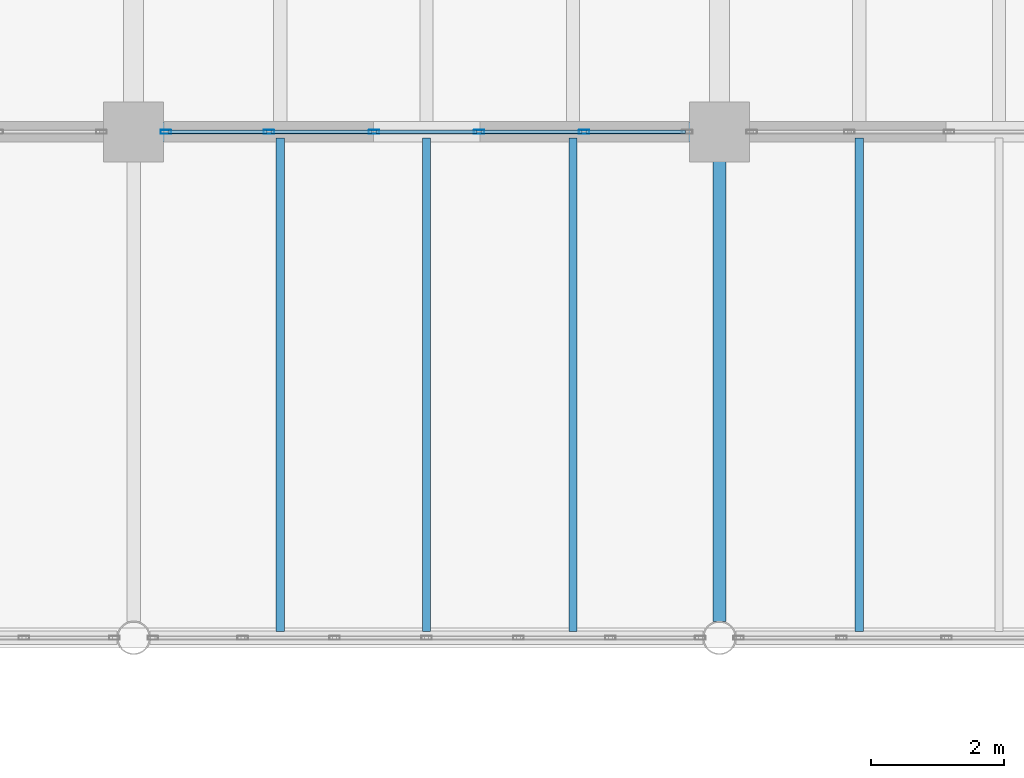
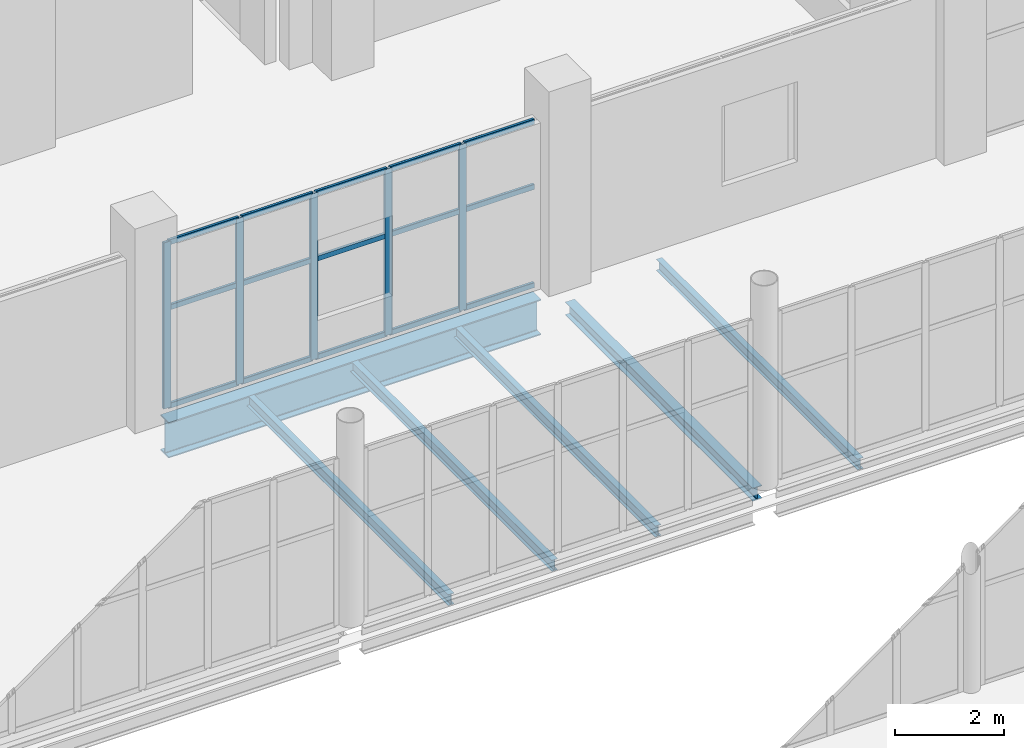
# One storey, part 87 of 172: 20 members, 6 beams, 1 element without a shape of its own.
"""IFC4 building model written with IfcOpenShell, lengths in metres."""

from ifc_helpers import new_model, si_unit, direction, frame, origin, origin_2d, place, context, subcontext, project, spatial, hollow_rectangle, i_section, extrude, material, material_profile, profile_set, type_object, element, aggregate, save


model = new_model("IFC4")

# Units and contexts
model_context = context("Model", 3, precision=1e-05, world=origin(), true_north=direction((0.0, 1.0)))
body_context = subcontext(model_context, "Body", "Model", "MODEL_VIEW")
ifc_project = project(units=[si_unit("LENGTHUNIT", "METRE"), si_unit("AREAUNIT", "SQUARE_METRE"), si_unit("VOLUMEUNIT", "CUBIC_METRE"), si_unit("PLANEANGLEUNIT", "RADIAN"), si_unit("MASSUNIT", "GRAM", prefix="KILO")], contexts=[model_context])

# Site, building, storey
site_placement = place(None, origin())
site = spatial("IfcSite", under=ifc_project, at=site_placement, CompositionType="ELEMENT")
building_placement = place(site_placement, origin())
building = spatial("IfcBuilding", under=site, at=building_placement, Name="Shengluoqiao Park Theatre", CompositionType="ELEMENT")
storey_placement = place(building_placement, frame((0.0, 0.0, 5.39990234375)))
storey = spatial("IfcBuildingStorey", under=building, at=storey_placement, Name="L01", CompositionType="ELEMENT", Elevation=5.39990234375)

# Curtain wall, members
ifc_material_1 = material(Name="Aluminium 6063-T6", Category="aluminium")
curtain_wall_type = type_object("IfcCurtainWallType", Name="ENV-CW-BRIDGE", PredefinedType="NOTDEFINED", material=ifc_material_1)
curtain_wall_placement = place(storey_placement, origin())
curtain_wall = element("IfcCurtainWall", 1, at=curtain_wall_placement, inside=storey, type_object=curtain_wall_type, Name="L01 Curtain Wall CWX-L01-0100", PredefinedType="NOTDEFINED")
ifc_material_profile_1 = material_profile(ifc_material_1, hollow_rectangle(XDim=0.06005859375, YDim=0.159912109375, WallThickness=0.00390625, InnerFilletRadius=0.00390625, OuterFilletRadius=0.008056640625, at=origin_2d()), Name="ALU MULLION 160x60x4")
ifc_profile_set_1 = profile_set([ifc_material_profile_1], Name="Aluminium 6063-T6")
member_type_1 = type_object("IfcMemberType", Name="ENV-MUL-160", PredefinedType="MULLION", material=ifc_profile_set_1)
member_1_placement = place(storey_placement, frame((95.68408203125, 76.0, 0.0), z_axis=(0.0, 0.0, 1.0), x_axis=(0.0, 1.0, 0.0)))
member_1 = element("IfcMember", 2, at=member_1_placement, type_object=member_type_1, Name="CW-03 mullion 1", PredefinedType="MULLION", context=body_context, shape_type="SweptSolid", body=[
    extrude(hollow_rectangle(XDim=0.06005859375, YDim=0.159912109375, WallThickness=0.00390625, InnerFilletRadius=0.00390625, OuterFilletRadius=0.008056640625, at=origin_2d()), origin(), (0.0, 0.0, 1.0), 3.732177734375),
])
member_2_placement = place(storey_placement, frame((97.232421875, 76.0, 0.0), z_axis=(0.0, 0.0, 1.0), x_axis=(0.0, 1.0, 0.0)))
member_2 = element("IfcMember", 3, at=member_2_placement, type_object=member_type_1, Name="CW-03 mullion 2", PredefinedType="MULLION", context=body_context, shape_type="SweptSolid", body=[
    extrude(hollow_rectangle(XDim=0.06005859375, YDim=0.159912109375, WallThickness=0.00390625, InnerFilletRadius=0.00390625, OuterFilletRadius=0.008056640625, at=origin_2d()), origin(), (0.0, 0.0, 1.0), 3.732177734375),
])
member_3_placement = place(storey_placement, frame((98.810791015625, 76.0, 0.0), z_axis=(0.0, 0.0, 1.0), x_axis=(0.0, 1.0, 0.0)))
member_3 = element("IfcMember", 4, at=member_3_placement, type_object=member_type_1, Name="CW-03 mullion 3", PredefinedType="MULLION", context=body_context, shape_type="SweptSolid", body=[
    extrude(hollow_rectangle(XDim=0.06005859375, YDim=0.159912109375, WallThickness=0.00390625, InnerFilletRadius=0.00390625, OuterFilletRadius=0.008056640625, at=origin_2d()), origin(), (0.0, 0.0, 1.0), 3.732177734375),
])
member_4_placement = place(storey_placement, frame((100.38916015625, 76.0, 0.0), z_axis=(0.0, 0.0, 1.0), x_axis=(0.0, 1.0, 0.0)))
member_4 = element("IfcMember", 5, at=member_4_placement, type_object=member_type_1, Name="CW-03 mullion 4", PredefinedType="MULLION", context=body_context, shape_type="SweptSolid", body=[
    extrude(hollow_rectangle(XDim=0.06005859375, YDim=0.159912109375, WallThickness=0.00390625, InnerFilletRadius=0.00390625, OuterFilletRadius=0.008056640625, at=origin_2d()), origin(), (0.0, 0.0, 1.0), 3.732177734375),
])
member_5_placement = place(storey_placement, frame((101.967529296875, 76.0, 0.0), z_axis=(0.0, 0.0, 1.0), x_axis=(0.0, 1.0, 0.0)))
member_5 = element("IfcMember", 6, at=member_5_placement, type_object=member_type_1, Name="CW-03 mullion 5", PredefinedType="MULLION", context=body_context, shape_type="SweptSolid", body=[
    extrude(hollow_rectangle(XDim=0.06005859375, YDim=0.159912109375, WallThickness=0.00390625, InnerFilletRadius=0.00390625, OuterFilletRadius=0.008056640625, at=origin_2d()), origin(), (0.0, 0.0, 1.0), 3.732177734375),
])
ifc_material_profile_2 = material_profile(ifc_material_1, hollow_rectangle(XDim=0.06005859375, YDim=0.1201171875, WallThickness=0.00390625, InnerFilletRadius=0.00390625, OuterFilletRadius=0.008056640625, at=origin_2d()), Name="ALU TRANSOM 120x60x4")
ifc_profile_set_2 = profile_set([ifc_material_profile_2], Name="Aluminium 6063-T6")
member_type_2 = type_object("IfcMemberType", Name="ENV-TRN-120", PredefinedType="USERDEFINED", material=ifc_profile_set_2)
member_6_placement = place(storey_placement, frame((95.714111328125, 76.0, 0.030029296875), z_axis=(1.0, 0.0, 0.0), x_axis=(0.0, 1.0, 0.0)))
member_6 = element("IfcMember", 7, at=member_6_placement, type_object=member_type_2, Name="CW-03 transom 1.1", ObjectType="TRANSOM", PredefinedType="USERDEFINED", context=body_context, shape_type="SweptSolid", body=[
    extrude(hollow_rectangle(XDim=0.06005859375, YDim=0.1201171875, WallThickness=0.00390625, InnerFilletRadius=0.00390625, OuterFilletRadius=0.008056640625, at=origin_2d()), origin(), (0.0, 0.0, 1.0), 1.48828125),
])
member_7_placement = place(storey_placement, frame((95.714111328125, 76.0, 2.239013671875), z_axis=(1.0, 0.0, 0.0), x_axis=(0.0, 1.0, 0.0)))
member_7 = element("IfcMember", 8, at=member_7_placement, type_object=member_type_2, Name="CW-03 transom 1.2", ObjectType="TRANSOM", PredefinedType="USERDEFINED", context=body_context, shape_type="SweptSolid", body=[
    extrude(hollow_rectangle(XDim=0.06005859375, YDim=0.1201171875, WallThickness=0.00390625, InnerFilletRadius=0.00390625, OuterFilletRadius=0.008056640625, at=origin_2d()), origin(), (0.0, 0.0, 1.0), 1.48828125),
])
member_8_placement = place(storey_placement, frame((95.714111328125, 76.0, 3.7021484375), z_axis=(1.0, 0.0, 0.0), x_axis=(0.0, 1.0, 0.0)))
member_8 = element("IfcMember", 9, at=member_8_placement, type_object=member_type_2, Name="CW-03 transom 1.3", ObjectType="TRANSOM", PredefinedType="USERDEFINED", context=body_context, shape_type="SweptSolid", body=[
    extrude(hollow_rectangle(XDim=0.06005859375, YDim=0.1201171875, WallThickness=0.00390625, InnerFilletRadius=0.00390625, OuterFilletRadius=0.008056640625, at=origin_2d()), origin(), (0.0, 0.0, 1.0), 1.48828125),
])
member_9_placement = place(storey_placement, frame((97.262451171875, 76.0, 0.030029296875), z_axis=(1.0, 0.0, 0.0), x_axis=(0.0, 1.0, 0.0)))
member_9 = element("IfcMember", 10, at=member_9_placement, type_object=member_type_2, Name="CW-03 transom 2.1", ObjectType="TRANSOM", PredefinedType="USERDEFINED", context=body_context, shape_type="SweptSolid", body=[
    extrude(hollow_rectangle(XDim=0.06005859375, YDim=0.1201171875, WallThickness=0.00390625, InnerFilletRadius=0.00390625, OuterFilletRadius=0.008056640625, at=origin_2d()), origin(), (0.0, 0.0, 1.0), 1.518310546875),
])
member_10_placement = place(storey_placement, frame((97.262451171875, 76.0, 2.239013671875), z_axis=(1.0, 0.0, 0.0), x_axis=(0.0, 1.0, 0.0)))
member_10 = element("IfcMember", 11, at=member_10_placement, type_object=member_type_2, Name="CW-03 transom 2.2", ObjectType="TRANSOM", PredefinedType="USERDEFINED", context=body_context, shape_type="SweptSolid", body=[
    extrude(hollow_rectangle(XDim=0.06005859375, YDim=0.1201171875, WallThickness=0.00390625, InnerFilletRadius=0.00390625, OuterFilletRadius=0.008056640625, at=origin_2d()), origin(), (0.0, 0.0, 1.0), 1.518310546875),
])
member_11_placement = place(storey_placement, frame((97.262451171875, 76.0, 3.7021484375), z_axis=(1.0, 0.0, 0.0), x_axis=(0.0, 1.0, 0.0)))
member_11 = element("IfcMember", 12, at=member_11_placement, type_object=member_type_2, Name="CW-03 transom 2.3", ObjectType="TRANSOM", PredefinedType="USERDEFINED", context=body_context, shape_type="SweptSolid", body=[
    extrude(hollow_rectangle(XDim=0.06005859375, YDim=0.1201171875, WallThickness=0.00390625, InnerFilletRadius=0.00390625, OuterFilletRadius=0.008056640625, at=origin_2d()), origin(), (0.0, 0.0, 1.0), 1.518310546875),
])
member_12_placement = place(storey_placement, frame((98.8408203125, 76.0, 0.030029296875), z_axis=(1.0, 0.0, 0.0), x_axis=(0.0, 1.0, 0.0)))
member_12 = element("IfcMember", 13, at=member_12_placement, type_object=member_type_2, Name="CW-03 transom 3.1", ObjectType="TRANSOM", PredefinedType="USERDEFINED", context=body_context, shape_type="SweptSolid", body=[
    extrude(hollow_rectangle(XDim=0.06005859375, YDim=0.1201171875, WallThickness=0.00390625, InnerFilletRadius=0.00390625, OuterFilletRadius=0.008056640625, at=origin_2d()), origin(), (0.0, 0.0, 1.0), 1.518310546875),
])
member_13_placement = place(storey_placement, frame((98.8408203125, 76.0, 2.239013671875), z_axis=(1.0, 0.0, 0.0), x_axis=(0.0, 1.0, 0.0)))
member_13 = element("IfcMember", 14, at=member_13_placement, type_object=member_type_2, Name="CW-03 transom 3.2", ObjectType="TRANSOM", PredefinedType="USERDEFINED", context=body_context, shape_type="SweptSolid", body=[
    extrude(hollow_rectangle(XDim=0.06005859375, YDim=0.1201171875, WallThickness=0.00390625, InnerFilletRadius=0.00390625, OuterFilletRadius=0.008056640625, at=origin_2d()), origin(), (0.0, 0.0, 1.0), 1.518310546875),
])
member_14_placement = place(storey_placement, frame((98.8408203125, 76.0, 3.7021484375), z_axis=(1.0, 0.0, 0.0), x_axis=(0.0, 1.0, 0.0)))
member_14 = element("IfcMember", 15, at=member_14_placement, type_object=member_type_2, Name="CW-03 transom 3.3", ObjectType="TRANSOM", PredefinedType="USERDEFINED", context=body_context, shape_type="SweptSolid", body=[
    extrude(hollow_rectangle(XDim=0.06005859375, YDim=0.1201171875, WallThickness=0.00390625, InnerFilletRadius=0.00390625, OuterFilletRadius=0.008056640625, at=origin_2d()), origin(), (0.0, 0.0, 1.0), 1.518310546875),
])
member_15_placement = place(storey_placement, frame((100.419189453125, 76.0, 0.030029296875), z_axis=(1.0, 0.0, 0.0), x_axis=(0.0, 1.0, 0.0)))
member_15 = element("IfcMember", 16, at=member_15_placement, type_object=member_type_2, Name="CW-03 transom 4.1", ObjectType="TRANSOM", PredefinedType="USERDEFINED", context=body_context, shape_type="SweptSolid", body=[
    extrude(hollow_rectangle(XDim=0.06005859375, YDim=0.1201171875, WallThickness=0.00390625, InnerFilletRadius=0.00390625, OuterFilletRadius=0.008056640625, at=origin_2d()), origin(), (0.0, 0.0, 1.0), 1.518310546875),
])
member_16_placement = place(storey_placement, frame((100.419189453125, 76.0, 2.239013671875), z_axis=(1.0, 0.0, 0.0), x_axis=(0.0, 1.0, 0.0)))
member_16 = element("IfcMember", 17, at=member_16_placement, type_object=member_type_2, Name="CW-03 transom 4.2", ObjectType="TRANSOM", PredefinedType="USERDEFINED", context=body_context, shape_type="SweptSolid", body=[
    extrude(hollow_rectangle(XDim=0.06005859375, YDim=0.1201171875, WallThickness=0.00390625, InnerFilletRadius=0.00390625, OuterFilletRadius=0.008056640625, at=origin_2d()), origin(), (0.0, 0.0, 1.0), 1.518310546875),
])
member_17_placement = place(storey_placement, frame((100.419189453125, 76.0, 3.7021484375), z_axis=(1.0, 0.0, 0.0), x_axis=(0.0, 1.0, 0.0)))
member_17 = element("IfcMember", 18, at=member_17_placement, type_object=member_type_2, Name="CW-03 transom 4.3", ObjectType="TRANSOM", PredefinedType="USERDEFINED", context=body_context, shape_type="SweptSolid", body=[
    extrude(hollow_rectangle(XDim=0.06005859375, YDim=0.1201171875, WallThickness=0.00390625, InnerFilletRadius=0.00390625, OuterFilletRadius=0.008056640625, at=origin_2d()), origin(), (0.0, 0.0, 1.0), 1.518310546875),
])
member_18_placement = place(storey_placement, frame((101.99755859375, 76.0, 0.030029296875), z_axis=(1.0, 0.0, 0.0), x_axis=(0.0, 1.0, 0.0)))
member_18 = element("IfcMember", 19, at=member_18_placement, type_object=member_type_2, Name="CW-03 transom 5.1", ObjectType="TRANSOM", PredefinedType="USERDEFINED", context=body_context, shape_type="SweptSolid", body=[
    extrude(hollow_rectangle(XDim=0.06005859375, YDim=0.1201171875, WallThickness=0.00390625, InnerFilletRadius=0.00390625, OuterFilletRadius=0.008056640625, at=origin_2d()), origin(), (0.0, 0.0, 1.0), 1.488525390625),
])
member_19_placement = place(storey_placement, frame((101.99755859375, 76.0, 2.239013671875), z_axis=(1.0, 0.0, 0.0), x_axis=(0.0, 1.0, 0.0)))
member_19 = element("IfcMember", 20, at=member_19_placement, type_object=member_type_2, Name="CW-03 transom 5.2", ObjectType="TRANSOM", PredefinedType="USERDEFINED", context=body_context, shape_type="SweptSolid", body=[
    extrude(hollow_rectangle(XDim=0.06005859375, YDim=0.1201171875, WallThickness=0.00390625, InnerFilletRadius=0.00390625, OuterFilletRadius=0.008056640625, at=origin_2d()), origin(), (0.0, 0.0, 1.0), 1.488525390625),
])
member_20_placement = place(storey_placement, frame((101.99755859375, 76.0, 3.7021484375), z_axis=(1.0, 0.0, 0.0), x_axis=(0.0, 1.0, 0.0)))
member_20 = element("IfcMember", 21, at=member_20_placement, type_object=member_type_2, Name="CW-03 transom 5.3", ObjectType="TRANSOM", PredefinedType="USERDEFINED", context=body_context, shape_type="SweptSolid", body=[
    extrude(hollow_rectangle(XDim=0.06005859375, YDim=0.1201171875, WallThickness=0.00390625, InnerFilletRadius=0.00390625, OuterFilletRadius=0.008056640625, at=origin_2d()), origin(), (0.0, 0.0, 1.0), 1.488525390625),
])
aggregate(curtain_wall, [member_1, member_2, member_3, member_4, member_5, member_6, member_7, member_8, member_9, member_10, member_11, member_12, member_13, member_14, member_15, member_16, member_17, member_18, member_19, member_20])

# Beams
ifc_material_2 = material(Name="Steel Q355", Category="steel")
ifc_material_profile_3 = material_profile(ifc_material_2, i_section(OverallWidth=0.199951171875, OverallDepth=0.2939453125, WebThickness=0.008056640625, FlangeThickness=0.011962890625, FilletRadius=0.01611328125, at=origin_2d()), Name="HM 294x200x8x12")
ifc_profile_set_3 = profile_set([ifc_material_profile_3], Name="Steel Q355")
beam_type_1 = type_object("IfcBeamType", Name="STR-BM-G-HM294", PredefinedType="BEAM", material=ifc_profile_set_3)
beam_1_placement = place(storey_placement, frame((104.0, 68.64794921875, -0.386962890625), z_axis=(0.0, 1.0, 0.0), x_axis=(-1.0, 0.0, 0.0)))
element("IfcBeam", 22, at=beam_1_placement, inside=storey, type_object=beam_type_1, Name="L01 Transverse Girder 00530", PredefinedType="BEAM", context=body_context, shape_type="SweptSolid", body=[
    extrude(i_section(OverallWidth=0.199951171875, OverallDepth=0.2939453125, WebThickness=0.008056640625, FlangeThickness=0.011962890625, FilletRadius=0.01611328125, at=origin_2d()), origin(), (0.0, 0.0, 1.0), 6.907958984375),
])
ifc_material_3 = material(Name="Steel Q390", Category="steel")
ifc_material_profile_4 = material_profile(ifc_material_3, i_section(OverallWidth=0.300048828125, OverallDepth=0.800048828125, WebThickness=0.013916015625, FlangeThickness=0.02587890625, FilletRadius=0.02587890625, at=origin_2d()), Name="HN 800x300x14x26")
ifc_profile_set_4 = profile_set([ifc_material_profile_4], Name="Steel Q390")
beam_type_2 = type_object("IfcBeamType", Name="STR-BM-G-HN800", PredefinedType="BEAM", material=ifc_profile_set_4)
beam_2_placement = place(storey_placement, frame((95.64404296875, 76.0, -0.639892578125), z_axis=(1.0, 0.0, 0.0), x_axis=(0.0, 1.0, 0.0)))
element("IfcBeam", 23, at=beam_2_placement, inside=storey, type_object=beam_type_2, Name="L01 Primary Girder 00323", PredefinedType="BEAM", context=body_context, shape_type="SweptSolid", body=[
    extrude(i_section(OverallWidth=0.300048828125, OverallDepth=0.800048828125, WebThickness=0.013916015625, FlangeThickness=0.02587890625, FilletRadius=0.02587890625, at=origin_2d()), origin(), (0.0, 0.0, 1.0), 7.911865234375),
])
ifc_material_profile_5 = material_profile(ifc_material_2, i_section(OverallWidth=0.125, OverallDepth=0.25, WebThickness=0.006103515625, FlangeThickness=0.009033203125, FilletRadius=0.010009765625, at=origin_2d()), Name="HN 250x125x6x9")
ifc_profile_set_5 = profile_set([ifc_material_profile_5], Name="Steel Q355")
beam_type_3 = type_object("IfcBeamType", Name="STR-BM-J-HN250", PredefinedType="JOIST", material=ifc_profile_set_5)
for number, where, z_axis, x_axis, name in (
    (24, (97.39990234375, 68.494384765625, -0.364990234375), (0.0, 1.0, 0.0), (-1.0, 0.0, 0.0), "L01 Composite Joist 00540"),
    (25, (99.60009765625, 68.494384765625, -0.364990234375), (0.0, 1.0, 0.0), (-1.0, 0.0, 0.0), "L01 Composite Joist 00541"),
    (26, (101.800048828125, 68.494384765625, -0.364990234375), (0.0, 1.0, 0.0), (-1.0, 0.0, 0.0), "L01 Composite Joist 00542"),
    (27, (106.10009765625, 68.494384765625, -0.364990234375), (0.0, 1.0, 0.0), (-1.0, 0.0, 0.0), "L01 Composite Joist 00543"),
):
    element("IfcBeam", number, at=place(storey_placement, frame(where, z_axis=z_axis, x_axis=x_axis)), inside=storey, type_object=beam_type_3, Name=name, PredefinedType="JOIST", context=body_context, shape_type="SweptSolid", body=[
        extrude(i_section(OverallWidth=0.125, OverallDepth=0.25, WebThickness=0.006103515625, FlangeThickness=0.009033203125, FilletRadius=0.010009765625, at=origin_2d()), origin(), (0.0, 0.0, 1.0), 7.4111328125),
    ])

save(model, "model.ifc")
